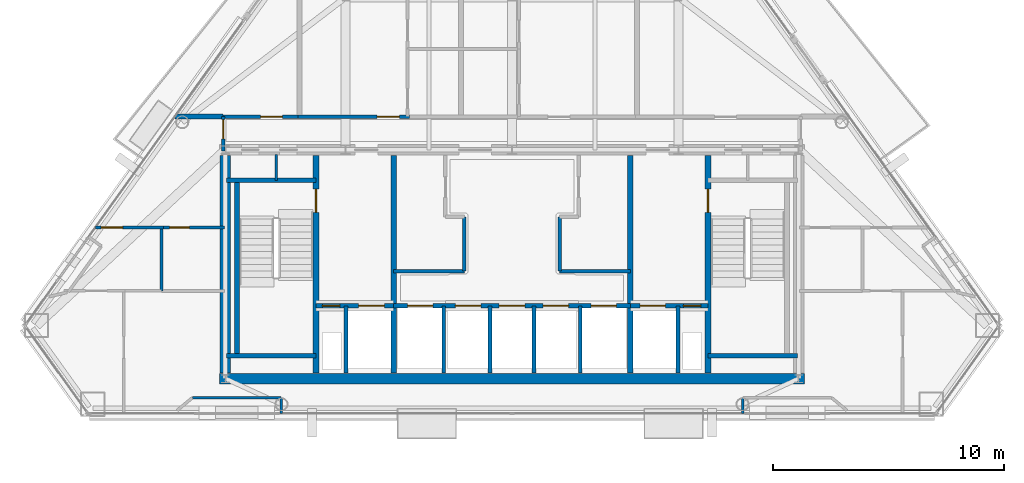
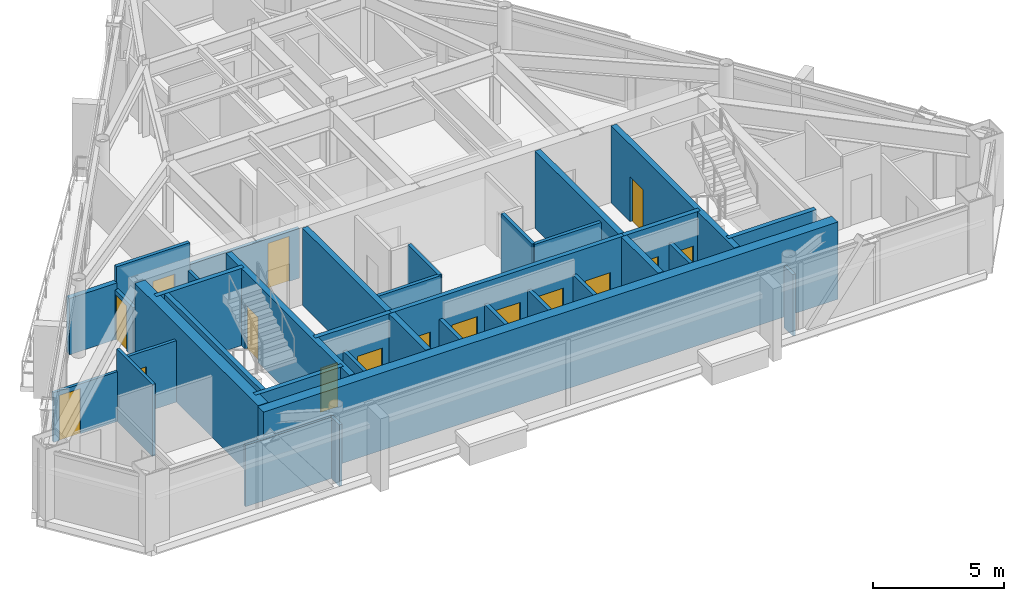
# One storey, part 7 of 11: 34 walls, 16 doors, 16 openings.
"""IFC4 building model written with IfcOpenShell, lengths in metres."""

from ifc_helpers import new_model, si_unit, direction, frame, frame_2d, origin, place, context, subcontext, project, spatial, rectangle, extrude, material, layer, layer_set, type_object, element, fill, save


model = new_model("IFC4")

# Units and contexts
model_context = context("Model", 3, precision=1e-05, world=origin(), true_north=direction((0.0, 1.0)))
body_context = subcontext(model_context, "Body", "Model", "MODEL_VIEW")
ifc_project = project(units=[si_unit("LENGTHUNIT", "METRE"), si_unit("AREAUNIT", "SQUARE_METRE"), si_unit("VOLUMEUNIT", "CUBIC_METRE"), si_unit("PLANEANGLEUNIT", "RADIAN"), si_unit("MASSUNIT", "GRAM", prefix="KILO")], contexts=[model_context])

# Site, building, storey
site_placement = place(None, origin())
site = spatial("IfcSite", under=ifc_project, at=site_placement, CompositionType="ELEMENT")
building_placement = place(site_placement, origin())
building = spatial("IfcBuilding", under=site, at=building_placement, Name="Talgorran Terracotta Tower", CompositionType="ELEMENT")
storey_placement = place(building_placement, frame((0.0, 0.0, 237.0)))
storey = spatial("IfcBuildingStorey", under=building, at=storey_placement, Name="L62", CompositionType="ELEMENT", Elevation=237.0)

# Walls
ifc_material_1 = material(Name="Concrete C50/60", Category="concrete")
ifc_layer_1 = layer(ifc_material_1, 0.199951171875, Name="WT_CORE_200")
ifc_layer_set_1 = layer_set([ifc_layer_1], Name="Concrete C50/60")
wall_type_1 = type_object("IfcWallType", Name="WT_CORE_200", PredefinedType="SOLIDWALL", material=ifc_layer_set_1)
for number, where, z_axis, x_axis, name in (
    (1, (-12.35009765625, -5.52001953125, 0.0), (0.0, 0.0, 1.0), (1.0, 0.0, 0.0), "WL-L62-CW-ST1-N"),
    (2, (-12.35009765625, -13.10009765625, 0.0), (0.0, 0.0, 1.0), (1.0, 0.0, 0.0), "WL-L62-CW-ST1-S"),
):
    element("IfcWall", number, at=place(storey_placement, frame(where, z_axis=z_axis, x_axis=x_axis)), inside=storey, type_object=wall_type_1, Name=name, PredefinedType="SOLIDWALL", context=body_context, shape_type="SweptSolid", body=[
        extrude(rectangle(XDim=3.8701171875, YDim=0.199951171875, at=frame_2d((1.93505859375, 0.0))), origin(), (0.0, 0.0, 1.0), 3.60009765625),
    ])
wall_1_placement = place(storey_placement, frame((-11.89990234375, -13.10009765625, 0.0), z_axis=(0.0, 0.0, 1.0), x_axis=(0.0, 1.0, 0.0)))
element("IfcWall", 3, at=wall_1_placement, inside=storey, type_object=wall_type_1, Name="WL-L62-CW-ST1-W", PredefinedType="SOLIDWALL", context=body_context, shape_type="SweptSolid", body=[
    extrude(rectangle(XDim=7.580078125, YDim=0.199951171875, at=frame_2d((3.7900390625, 0.0))), origin(), (0.0, 0.0, 1.0), 3.60009765625),
])
wall_2_placement = place(storey_placement, frame((8.47998046875, -13.10009765625, 0.0), z_axis=(0.0, 0.0, 1.0), x_axis=(1.0, 0.0, 0.0)))
element("IfcWall", 4, at=wall_2_placement, inside=storey, type_object=wall_type_1, Name="WL-L62-CW-ST2-S", PredefinedType="SOLIDWALL", context=body_context, shape_type="SweptSolid", body=[
    extrude(rectangle(XDim=3.8701171875, YDim=0.199951171875, at=frame_2d((1.93505859375, 0.0))), origin(), (0.0, 0.0, 1.0), 3.60009765625),
])

# Wall, openings, doors
wall_3_placement = place(storey_placement, frame((-8.47998046875, -10.949951171875, 0.0), z_axis=(0.0, 0.0, 1.0), x_axis=(1.0, 0.0, 0.0)))
wall_3 = element("IfcWall", 5, at=wall_3_placement, inside=storey, type_object=wall_type_1, Name="WL-L62-CW-H-SBW", PredefinedType="SOLIDWALL", context=body_context, shape_type="SweptSolid", body=[
    extrude(rectangle(XDim=3.35986328125, YDim=0.199951171875, at=frame_2d((1.679931640625, 0.0))), origin(), (0.0, 0.0, 1.0), 3.60009765625),
])
opening_1_placement = place(wall_3_placement, frame((0.280029296875, 0.0, 0.0)))
opening_1 = element("IfcOpeningElement", 6, at=opening_1_placement, cuts=wall_3, Name="Opening DR-RSW", PredefinedType="OPENING", context=body_context, shape_type="SweptSolid", body=[
    extrude(rectangle(XDim=0.756, YDim=2.054048828125, at=frame_2d((0.375, 1.027099609375))), frame((0.0, 0.10986328125, 0.0), z_axis=(0.0, -1.0, 0.0), x_axis=(1.0, 0.0, 0.0)), (0.0, 0.0, 1.0), 0.219970703125),
])
opening_2_placement = place(wall_3_placement, frame((1.85009765625, 0.0, 0.0)))
opening_2 = element("IfcOpeningElement", 7, at=opening_2_placement, cuts=wall_3, Name="Opening LD-FFL1", PredefinedType="OPENING", context=body_context, shape_type="SweptSolid", body=[
    extrude(rectangle(XDim=1.10609765625, YDim=2.10409765625, at=frame_2d((0.550048828125, 1.052001953125))), frame((0.0, 0.10986328125, 0.0), z_axis=(0.0, -1.0, 0.0), x_axis=(1.0, 0.0, 0.0)), (0.0, 0.0, 1.0), 0.219970703125),
])
ifc_material_2 = material(Name="Brushed Stainless Steel Grade 304", Category="steel")
door_type_1 = type_object("IfcDoorType", Name="DT_LIFT_LD1100", OperationType="DOUBLE_DOOR_SLIDING", PredefinedType="DOOR", material=ifc_material_2)
door_1_placement = place(opening_2_placement, origin())
door_1 = element("IfcDoor", 8, at=door_1_placement, inside=storey, type_object=door_type_1, Name="L62 Lift Landing Door LD-FFL1", OperationType="DOUBLE_DOOR_SLIDING", OverallHeight=2.10009765625, OverallWidth=1.10009765625, PredefinedType="DOOR", context=body_context, shape_type="SweptSolid", body=[
    extrude(rectangle(XDim=1.10009765625, YDim=2.10009765625, at=frame_2d((0.550048828125, 1.050048828125))), frame((0.0, 0.02490234375, 0.0), z_axis=(0.0, -1.0, 0.0), x_axis=(1.0, 0.0, 0.0)), (0.0, 0.0, 1.0), 0.050048828125),
])
fill(opening_2, door_1)
ifc_material_3 = material(Name="Fire-Rated Pressed Steel", Category="steel")
door_type_2 = type_object("IfcDoorType", Name="DT_RISER_750", OperationType="NOTDEFINED", PredefinedType="DOOR", material=ifc_material_3)
door_2_placement = place(opening_1_placement, origin())
door_2 = element("IfcDoor", 9, at=door_2_placement, inside=storey, type_object=door_type_2, Name="DR-RSW", OperationType="SINGLE_SWING_LEFT", OverallHeight=2.050048828125, OverallWidth=0.75, PredefinedType="DOOR", context=body_context, shape_type="SweptSolid", body=[
    extrude(rectangle(XDim=0.75, YDim=2.050048828125, at=frame_2d((0.375, 1.02490234375))), frame((0.0, 0.02490234375, 0.0), z_axis=(0.0, -1.0, 0.0), x_axis=(1.0, 0.0, 0.0)), (0.0, 0.0, 1.0), 0.050048828125),
])
fill(opening_1, door_2)

wall_4_placement = place(storey_placement, frame((-5.1201171875, -10.949951171875, 0.0), z_axis=(0.0, 0.0, 1.0), x_axis=(1.0, 0.0, 0.0)))
wall_4 = element("IfcWall", 10, at=wall_4_placement, inside=storey, type_object=wall_type_1, Name="WL-L62-CW-H-SBC", PredefinedType="SOLIDWALL", context=body_context, shape_type="SweptSolid", body=[
    extrude(rectangle(XDim=10.240234375, YDim=0.199951171875, at=frame_2d((5.1201171875, 0.0))), origin(), (0.0, 0.0, 1.0), 3.60009765625),
])
opening_3_placement = place(wall_4_placement, frame((0.60009765625, 0.0, 0.0)))
opening_3 = element("IfcOpeningElement", 11, at=opening_3_placement, cuts=wall_4, Name="Opening LD-OB1", PredefinedType="OPENING", context=body_context, shape_type="SweptSolid", body=[
    extrude(rectangle(XDim=1.10609765625, YDim=2.10409765625, at=frame_2d((0.550048828125, 1.052001953125))), frame((0.0, 0.10986328125, 0.0), z_axis=(0.0, -1.0, 0.0), x_axis=(1.0, 0.0, 0.0)), (0.0, 0.0, 1.0), 0.219970703125),
])
opening_4_placement = place(wall_4_placement, frame((2.669921875, 0.0, 0.0)))
opening_4 = element("IfcOpeningElement", 12, at=opening_4_placement, cuts=wall_4, Name="Opening LD-PLH1", PredefinedType="OPENING", context=body_context, shape_type="SweptSolid", body=[
    extrude(rectangle(XDim=1.10609765625, YDim=2.10409765625, at=frame_2d((0.550048828125, 1.052001953125))), frame((0.0, 0.10986328125, 0.0), z_axis=(0.0, -1.0, 0.0), x_axis=(1.0, 0.0, 0.0)), (0.0, 0.0, 1.0), 0.219970703125),
])
opening_5_placement = place(wall_4_placement, frame((4.570068359375, 0.0, 0.0)))
opening_5 = element("IfcOpeningElement", 13, at=opening_5_placement, cuts=wall_4, Name="Opening LD-PLH2", PredefinedType="OPENING", context=body_context, shape_type="SweptSolid", body=[
    extrude(rectangle(XDim=1.10609765625, YDim=2.10409765625, at=frame_2d((0.550048828125, 1.052001953125))), frame((0.0, 0.10986328125, 0.0), z_axis=(0.0, -1.0, 0.0), x_axis=(1.0, 0.0, 0.0)), (0.0, 0.0, 1.0), 0.219970703125),
])
opening_6_placement = place(wall_4_placement, frame((6.469970703125, 0.0, 0.0)))
opening_6 = element("IfcOpeningElement", 14, at=opening_6_placement, cuts=wall_4, Name="Opening LD-PLH3", PredefinedType="OPENING", context=body_context, shape_type="SweptSolid", body=[
    extrude(rectangle(XDim=1.10609765625, YDim=2.10409765625, at=frame_2d((0.550048828125, 1.052001953125))), frame((0.0, 0.10986328125, 0.0), z_axis=(0.0, -1.0, 0.0), x_axis=(1.0, 0.0, 0.0)), (0.0, 0.0, 1.0), 0.219970703125),
])
opening_7_placement = place(wall_4_placement, frame((8.5400390625, 0.0, 0.0)))
opening_7 = element("IfcOpeningElement", 15, at=opening_7_placement, cuts=wall_4, Name="Opening LD-SVL1", PredefinedType="OPENING", context=body_context, shape_type="SweptSolid", body=[
    extrude(rectangle(XDim=1.10609765625, YDim=2.10409765625, at=frame_2d((0.550048828125, 1.052001953125))), frame((0.0, 0.10986328125, 0.0), z_axis=(0.0, -1.0, 0.0), x_axis=(1.0, 0.0, 0.0)), (0.0, 0.0, 1.0), 0.219970703125),
])
door_3_placement = place(opening_3_placement, origin())
door_3 = element("IfcDoor", 16, at=door_3_placement, inside=storey, type_object=door_type_1, Name="L62 Lift Landing Door LD-OB1", OperationType="DOUBLE_DOOR_SLIDING", OverallHeight=2.10009765625, OverallWidth=1.10009765625, PredefinedType="DOOR", context=body_context, shape_type="SweptSolid", body=[
    extrude(rectangle(XDim=1.10009765625, YDim=2.10009765625, at=frame_2d((0.550048828125, 1.050048828125))), frame((0.0, 0.02490234375, 0.0), z_axis=(0.0, -1.0, 0.0), x_axis=(1.0, 0.0, 0.0)), (0.0, 0.0, 1.0), 0.050048828125),
])
fill(opening_3, door_3)
door_4_placement = place(opening_4_placement, origin())
door_4 = element("IfcDoor", 17, at=door_4_placement, inside=storey, type_object=door_type_1, Name="L62 Lift Landing Door LD-PLH1", OperationType="DOUBLE_DOOR_SLIDING", OverallHeight=2.10009765625, OverallWidth=1.10009765625, PredefinedType="DOOR", context=body_context, shape_type="SweptSolid", body=[
    extrude(rectangle(XDim=1.10009765625, YDim=2.10009765625, at=frame_2d((0.550048828125, 1.050048828125))), frame((0.0, 0.02490234375, 0.0), z_axis=(0.0, -1.0, 0.0), x_axis=(1.0, 0.0, 0.0)), (0.0, 0.0, 1.0), 0.050048828125),
])
fill(opening_4, door_4)
door_5_placement = place(opening_5_placement, origin())
door_5 = element("IfcDoor", 18, at=door_5_placement, inside=storey, type_object=door_type_1, Name="L62 Lift Landing Door LD-PLH2", OperationType="DOUBLE_DOOR_SLIDING", OverallHeight=2.10009765625, OverallWidth=1.10009765625, PredefinedType="DOOR", context=body_context, shape_type="SweptSolid", body=[
    extrude(rectangle(XDim=1.10009765625, YDim=2.10009765625, at=frame_2d((0.550048828125, 1.050048828125))), frame((0.0, 0.02490234375, 0.0), z_axis=(0.0, -1.0, 0.0), x_axis=(1.0, 0.0, 0.0)), (0.0, 0.0, 1.0), 0.050048828125),
])
fill(opening_5, door_5)
door_6_placement = place(opening_6_placement, origin())
door_6 = element("IfcDoor", 19, at=door_6_placement, inside=storey, type_object=door_type_1, Name="L62 Lift Landing Door LD-PLH3", OperationType="DOUBLE_DOOR_SLIDING", OverallHeight=2.10009765625, OverallWidth=1.10009765625, PredefinedType="DOOR", context=body_context, shape_type="SweptSolid", body=[
    extrude(rectangle(XDim=1.10009765625, YDim=2.10009765625, at=frame_2d((0.550048828125, 1.050048828125))), frame((0.0, 0.02490234375, 0.0), z_axis=(0.0, -1.0, 0.0), x_axis=(1.0, 0.0, 0.0)), (0.0, 0.0, 1.0), 0.050048828125),
])
fill(opening_6, door_6)
door_7_placement = place(opening_7_placement, origin())
door_7 = element("IfcDoor", 20, at=door_7_placement, inside=storey, type_object=door_type_1, Name="L62 Lift Landing Door LD-SVL1", OperationType="DOUBLE_DOOR_SLIDING", OverallHeight=2.10009765625, OverallWidth=1.10009765625, PredefinedType="DOOR", context=body_context, shape_type="SweptSolid", body=[
    extrude(rectangle(XDim=1.10009765625, YDim=2.10009765625, at=frame_2d((0.550048828125, 1.050048828125))), frame((0.0, 0.02490234375, 0.0), z_axis=(0.0, -1.0, 0.0), x_axis=(1.0, 0.0, 0.0)), (0.0, 0.0, 1.0), 0.050048828125),
])
fill(opening_7, door_7)

wall_5_placement = place(storey_placement, frame((5.1201171875, -10.949951171875, 0.0), z_axis=(0.0, 0.0, 1.0), x_axis=(1.0, 0.0, 0.0)))
wall_5 = element("IfcWall", 21, at=wall_5_placement, inside=storey, type_object=wall_type_1, Name="WL-L62-CW-H-SBE", PredefinedType="SOLIDWALL", context=body_context, shape_type="SweptSolid", body=[
    extrude(rectangle(XDim=3.35986328125, YDim=0.199951171875, at=frame_2d((1.679931640625, 0.0))), origin(), (0.0, 0.0, 1.0), 3.60009765625),
])
opening_8_placement = place(wall_5_placement, frame((0.419921875, 0.0, 0.0)))
opening_8 = element("IfcOpeningElement", 22, at=opening_8_placement, cuts=wall_5, Name="Opening LD-FFL2", PredefinedType="OPENING", context=body_context, shape_type="SweptSolid", body=[
    extrude(rectangle(XDim=1.10609765625, YDim=2.10409765625, at=frame_2d((0.550048828125, 1.052001953125))), frame((0.0, 0.10986328125, 0.0), z_axis=(0.0, -1.0, 0.0), x_axis=(1.0, 0.0, 0.0)), (0.0, 0.0, 1.0), 0.219970703125),
])
opening_9_placement = place(wall_5_placement, frame((2.300048828125, 0.0, 0.0)))
opening_9 = element("IfcOpeningElement", 23, at=opening_9_placement, cuts=wall_5, Name="Opening DR-RSE", PredefinedType="OPENING", context=body_context, shape_type="SweptSolid", body=[
    extrude(rectangle(XDim=0.756, YDim=2.054048828125, at=frame_2d((0.375, 1.027099609375))), frame((0.0, 0.10986328125, 0.0), z_axis=(0.0, -1.0, 0.0), x_axis=(1.0, 0.0, 0.0)), (0.0, 0.0, 1.0), 0.219970703125),
])
door_8_placement = place(opening_8_placement, origin())
door_8 = element("IfcDoor", 24, at=door_8_placement, inside=storey, type_object=door_type_1, Name="L62 Lift Landing Door LD-FFL2", OperationType="DOUBLE_DOOR_SLIDING", OverallHeight=2.10009765625, OverallWidth=1.10009765625, PredefinedType="DOOR", context=body_context, shape_type="SweptSolid", body=[
    extrude(rectangle(XDim=1.10009765625, YDim=2.10009765625, at=frame_2d((0.550048828125, 1.050048828125))), frame((0.0, 0.02490234375, 0.0), z_axis=(0.0, -1.0, 0.0), x_axis=(1.0, 0.0, 0.0)), (0.0, 0.0, 1.0), 0.050048828125),
])
fill(opening_8, door_8)
door_9_placement = place(opening_9_placement, origin())
door_9 = element("IfcDoor", 25, at=door_9_placement, inside=storey, type_object=door_type_2, Name="DR-RSE", OperationType="SINGLE_SWING_RIGHT", OverallHeight=2.050048828125, OverallWidth=0.75, PredefinedType="DOOR", context=body_context, shape_type="SweptSolid", body=[
    extrude(rectangle(XDim=0.75, YDim=2.050048828125, at=frame_2d((0.375, 1.02490234375))), frame((0.0, 0.02490234375, 0.0), z_axis=(0.0, -1.0, 0.0), x_axis=(1.0, 0.0, 0.0)), (0.0, 0.0, 1.0), 0.050048828125),
])
fill(opening_9, door_9)

# Wall, opening, door
ifc_layer_2 = layer(ifc_material_1, 0.25, Name="WT_CORE_250")
ifc_layer_set_2 = layer_set([ifc_layer_2], Name="Concrete C50/60")
wall_type_2 = type_object("IfcWallType", Name="WT_CORE_250", PredefinedType="SHEAR", material=ifc_layer_set_2)
wall_6_placement = place(storey_placement, frame((-8.47998046875, -13.85009765625, 0.0), z_axis=(0.0, 0.0, 1.0), x_axis=(0.0, 1.0, 0.0)))
wall_6 = element("IfcWall", 26, at=wall_6_placement, inside=storey, type_object=wall_type_2, Name="WL-L62-CW-V-W1", PredefinedType="SHEAR", context=body_context, shape_type="SweptSolid", body=[
    extrude(rectangle(XDim=9.400146484375, YDim=0.25, at=frame_2d((4.7001953125, 0.0))), origin(), (0.0, 0.0, 1.0), 3.60009765625),
])
opening_10_placement = place(wall_6_placement, frame((6.949951171875, 0.0, 0.0)))
opening_10 = element("IfcOpeningElement", 27, at=opening_10_placement, cuts=wall_6, Name="Opening DR-ST01", PredefinedType="OPENING", context=body_context, shape_type="SweptSolid", body=[
    extrude(rectangle(XDim=1.006, YDim=2.10409765625, at=frame_2d((0.5, 1.052001953125))), frame((0.0, 0.135009765625, 0.0), z_axis=(0.0, -1.0, 0.0), x_axis=(1.0, 0.0, 0.0)), (0.0, 0.0, 1.0), 0.27001953125),
])
door_type_3 = type_object("IfcDoorType", Name="DT_FIRE_1000", OperationType="NOTDEFINED", PredefinedType="DOOR", material=ifc_material_3)
door_10_placement = place(opening_10_placement, origin())
door_10 = element("IfcDoor", 28, at=door_10_placement, inside=storey, type_object=door_type_3, Name="DR-ST01", OperationType="SINGLE_SWING_LEFT", OverallHeight=2.10009765625, OverallWidth=1.0, PredefinedType="DOOR", context=body_context, shape_type="SweptSolid", body=[
    extrude(rectangle(XDim=1.0, YDim=2.10009765625, at=frame_2d((0.5, 1.050048828125))), frame((0.0, 0.02490234375, 0.0), z_axis=(0.0, -1.0, 0.0), x_axis=(1.0, 0.0, 0.0)), (0.0, 0.0, 1.0), 0.050048828125),
])
fill(opening_10, door_10)

wall_7_placement = place(storey_placement, frame((8.47998046875, -13.85009765625, 0.0), z_axis=(0.0, 0.0, 1.0), x_axis=(0.0, 1.0, 0.0)))
wall_7 = element("IfcWall", 29, at=wall_7_placement, inside=storey, type_object=wall_type_2, Name="WL-L62-CW-V-E1", PredefinedType="SHEAR", context=body_context, shape_type="SweptSolid", body=[
    extrude(rectangle(XDim=9.400146484375, YDim=0.25, at=frame_2d((4.7001953125, 0.0))), origin(), (0.0, 0.0, 1.0), 3.60009765625),
])
opening_11_placement = place(wall_7_placement, frame((6.949951171875, 0.0, 0.0)))
opening_11 = element("IfcOpeningElement", 30, at=opening_11_placement, cuts=wall_7, Name="Opening DR-ST02", PredefinedType="OPENING", context=body_context, shape_type="SweptSolid", body=[
    extrude(rectangle(XDim=1.006, YDim=2.10409765625, at=frame_2d((0.5, 1.052001953125))), frame((0.0, 0.135009765625, 0.0), z_axis=(0.0, -1.0, 0.0), x_axis=(1.0, 0.0, 0.0)), (0.0, 0.0, 1.0), 0.27001953125),
])
door_11_placement = place(opening_11_placement, origin())
door_11 = element("IfcDoor", 31, at=door_11_placement, inside=storey, type_object=door_type_3, Name="DR-ST02", OperationType="SINGLE_SWING_RIGHT", OverallHeight=2.10009765625, OverallWidth=1.0, PredefinedType="DOOR", context=body_context, shape_type="SweptSolid", body=[
    extrude(rectangle(XDim=1.0, YDim=2.10009765625, at=frame_2d((0.5, 1.050048828125))), frame((0.0, 0.02490234375, 0.0), z_axis=(0.0, -1.0, 0.0), x_axis=(1.0, 0.0, 0.0)), (0.0, 0.0, 1.0), 0.050048828125),
])
fill(opening_11, door_11)

# Walls
for number, where, z_axis, x_axis, name in (
    (32, (-5.1201171875, -13.85009765625, 0.0), (0.0, 0.0, 1.0), (0.0, 1.0, 0.0), "WL-L62-CW-V-W2"),
    (33, (5.1201171875, -13.85009765625, 0.0), (0.0, 0.0, 1.0), (0.0, 1.0, 0.0), "WL-L62-CW-V-E2"),
):
    element("IfcWall", number, at=place(storey_placement, frame(where, z_axis=z_axis, x_axis=x_axis)), inside=storey, type_object=wall_type_2, Name=name, PredefinedType="SHEAR", context=body_context, shape_type="SweptSolid", body=[
        extrude(rectangle(XDim=9.400146484375, YDim=0.25, at=frame_2d((4.7001953125, 0.0))), origin(), (0.0, 0.0, 1.0), 3.60009765625),
    ])
ifc_material_4 = material(Name="Concrete C65/80", Category="concrete")
ifc_layer_3 = layer(ifc_material_4, 0.449951171875, Name="WT_CORE_EXT")
ifc_layer_set_3 = layer_set([ifc_layer_3], Name="Concrete C65/80")
wall_type_3 = type_object("IfcWallType", Name="WT_CORE_EXT", PredefinedType="SHEAR", material=ifc_layer_set_3)
wall_8_placement = place(storey_placement, frame((-12.64990234375, -14.10009765625, 0.0), z_axis=(0.0, 0.0, 1.0), x_axis=(1.0, 0.0, 0.0)))
element("IfcWall", 34, at=wall_8_placement, inside=storey, type_object=wall_type_3, Name="WL-L62-CW-OUT-S", PredefinedType="SHEAR", context=body_context, shape_type="SweptSolid", body=[
    extrude(rectangle(XDim=25.2998046875, YDim=0.449951171875, at=frame_2d((12.64990234375, 0.0))), origin(), (0.0, 0.0, 1.0), 3.60009765625),
])
wall_9_placement = place(storey_placement, frame((-12.39990234375, -13.85009765625, 0.0), z_axis=(0.0, 0.0, 1.0), x_axis=(0.0, 1.0, 0.0)))
element("IfcWall", 35, at=wall_9_placement, inside=storey, type_object=wall_type_3, Name="WL-L62-CW-OUT-W", PredefinedType="SHEAR", context=body_context, shape_type="SweptSolid", body=[
    extrude(rectangle(XDim=9.400146484375, YDim=0.449951171875, at=frame_2d((4.7001953125, 0.0))), origin(), (0.0, 0.0, 1.0), 3.60009765625),
])
ifc_material_5 = material(Name="Fire-Rated Steel Stud Plasterboard", Category="steel")
ifc_layer_4 = layer(ifc_material_5, 0.14990234375, Name="WT_FIRE_150")
ifc_layer_set_4 = layer_set([ifc_layer_4], Name="Fire-Rated Steel Stud Plasterboard")
wall_type_4 = type_object("IfcWallType", Name="WT_FIRE_150", PredefinedType="PARTITIONING", material=ifc_layer_set_4)
wall_10_placement = place(storey_placement, frame((-5.1201171875, -9.449951171875, 0.0), z_axis=(0.0, 0.0, 1.0), x_axis=(1.0, 0.0, 0.0)))
element("IfcWall", 36, at=wall_10_placement, inside=storey, type_object=wall_type_4, Name="WL-L62-CW-H-W4N", PredefinedType="PARTITIONING", context=body_context, shape_type="SweptSolid", body=[
    extrude(rectangle(XDim=3.06005859375, YDim=0.14990234375, at=frame_2d((1.530029296875, 0.0))), origin(), (0.0, 0.0, 1.0), 3.344970703125),
])
wall_11_placement = place(storey_placement, frame((-2.06005859375, -9.449951171875, 0.0), z_axis=(0.0, 0.0, 1.0), x_axis=(0.0, 1.0, 0.0)))
element("IfcWall", 37, at=wall_11_placement, inside=storey, type_object=wall_type_4, Name="WL-L62-CW-V-W3S2", PredefinedType="PARTITIONING", context=body_context, shape_type="SweptSolid", body=[
    extrude(rectangle(XDim=2.349853515625, YDim=0.14990234375, at=frame_2d((1.1748046875, 0.0))), origin(), (0.0, 0.0, 1.0), 3.344970703125),
])
wall_12_placement = place(storey_placement, frame((2.06005859375, -9.449951171875, 0.0), z_axis=(0.0, 0.0, 1.0), x_axis=(1.0, 0.0, 0.0)))
element("IfcWall", 38, at=wall_12_placement, inside=storey, type_object=wall_type_4, Name="WL-L62-CW-H-E4N", PredefinedType="PARTITIONING", context=body_context, shape_type="SweptSolid", body=[
    extrude(rectangle(XDim=3.06005859375, YDim=0.14990234375, at=frame_2d((1.530029296875, 0.0))), origin(), (0.0, 0.0, 1.0), 3.344970703125),
])
wall_13_placement = place(storey_placement, frame((2.06005859375, -9.449951171875, 0.0), z_axis=(0.0, 0.0, 1.0), x_axis=(0.0, 1.0, 0.0)))
element("IfcWall", 39, at=wall_13_placement, inside=storey, type_object=wall_type_4, Name="WL-L62-CW-V-E3S2", PredefinedType="PARTITIONING", context=body_context, shape_type="SweptSolid", body=[
    extrude(rectangle(XDim=2.349853515625, YDim=0.14990234375, at=frame_2d((1.1748046875, 0.0))), origin(), (0.0, 0.0, 1.0), 3.344970703125),
])

# Wall, opening, door
wall_14_placement = place(storey_placement, frame((-9.260009765625, -2.760009765625, 0.0), z_axis=(0.0, 0.0, 1.0), x_axis=(1.0, 0.0, 0.0)))
wall_14 = element("IfcWall", 40, at=wall_14_placement, inside=storey, type_object=wall_type_4, Name="WL-L62-W-L62-R05", PredefinedType="PARTITIONING", context=body_context, shape_type="SweptSolid", body=[
    extrude(rectangle(XDim=4.820068359375, YDim=0.14990234375, at=frame_2d((2.41015625, 0.0))), origin(), (0.0, 0.0, 1.0), 2.320068359375),
])
opening_12_placement = place(wall_14_placement, frame((3.430908203125, 0.0, 0.0)))
opening_12 = element("IfcOpeningElement", 41, at=opening_12_placement, cuts=wall_14, Name="Opening DR-L62-R15", PredefinedType="OPENING", context=body_context, shape_type="SweptSolid", body=[
    extrude(rectangle(XDim=0.955951171875, YDim=2.10409765625, at=frame_2d((0.47509765625, 1.052001953125))), frame((0.0, 0.0849609375, 0.0), z_axis=(0.0, -1.0, 0.0), x_axis=(1.0, 0.0, 0.0)), (0.0, 0.0, 1.0), 0.169921875),
])
ifc_material_6 = material(Name="Fire-Rated Timber Core", Category="wood")
door_type_4 = type_object("IfcDoorType", Name="DT_FIRE_950", OperationType="NOTDEFINED", PredefinedType="DOOR", material=ifc_material_6)
door_12_placement = place(opening_12_placement, origin())
door_12 = element("IfcDoor", 42, at=door_12_placement, inside=storey, type_object=door_type_4, Name="DR-L62-R15", OperationType="SINGLE_SWING_LEFT", OverallHeight=2.10009765625, OverallWidth=0.949951171875, PredefinedType="DOOR", context=body_context, shape_type="SweptSolid", body=[
    extrude(rectangle(XDim=0.949951171875, YDim=2.10009765625, at=frame_2d((0.47509765625, 1.050048828125))), frame((0.0, 0.02490234375, 0.0), z_axis=(0.0, -1.0, 0.0), x_axis=(1.0, 0.0, 0.0)), (0.0, 0.0, 1.0), 0.050048828125),
])
fill(opening_12, door_12)

wall_15_placement = place(storey_placement, frame((-12.5, -2.760009765625, 0.0), z_axis=(0.0, 0.0, 1.0), x_axis=(1.0, 0.0, 0.0)))
wall_15 = element("IfcWall", 43, at=wall_15_placement, inside=storey, type_object=wall_type_4, Name="WL-L62-W-L62-R03", PredefinedType="PARTITIONING", context=body_context, shape_type="SweptSolid", body=[
    extrude(rectangle(XDim=3.238037109375, YDim=0.14990234375, at=frame_2d((1.619140625, 0.0))), origin(), (0.0, 0.0, 1.0), 3.344970703125),
])
opening_13_placement = place(wall_15_placement, frame((1.619384765625, 0.0, 0.0)))
opening_13 = element("IfcOpeningElement", 44, at=opening_13_placement, cuts=wall_15, Name="Opening DR-L62-R11", PredefinedType="OPENING", context=body_context, shape_type="SweptSolid", body=[
    extrude(rectangle(XDim=0.955951171875, YDim=2.10409765625, at=frame_2d((0.47509765625, 1.052001953125))), frame((0.0, 0.0849609375, 0.0), z_axis=(0.0, -1.0, 0.0), x_axis=(1.0, 0.0, 0.0)), (0.0, 0.0, 1.0), 0.169921875),
])
door_13_placement = place(opening_13_placement, origin())
door_13 = element("IfcDoor", 45, at=door_13_placement, inside=storey, type_object=door_type_4, Name="DR-L62-R11", OperationType="SINGLE_SWING_LEFT", OverallHeight=2.10009765625, OverallWidth=0.949951171875, PredefinedType="DOOR", context=body_context, shape_type="SweptSolid", body=[
    extrude(rectangle(XDim=0.949951171875, YDim=2.10009765625, at=frame_2d((0.47509765625, 1.050048828125))), frame((0.0, 0.02490234375, 0.0), z_axis=(0.0, -1.0, 0.0), x_axis=(1.0, 0.0, 0.0)), (0.0, 0.0, 1.0), 0.050048828125),
])
fill(opening_13, door_13)

wall_16_placement = place(storey_placement, frame((-12.5, -4.239990234375, 0.0), z_axis=(0.0, 0.0, 1.0), x_axis=(0.0, 1.0, 0.0)))
wall_16 = element("IfcWall", 46, at=wall_16_placement, inside=storey, type_object=wall_type_4, Name="WL-L62-W-L62-R01", PredefinedType="PARTITIONING", context=body_context, shape_type="SweptSolid", body=[
    extrude(rectangle(XDim=1.47998046875, YDim=0.14990234375, at=frame_2d((0.739990234375, 0.0))), origin(), (0.0, 0.0, 1.0), 2.320068359375),
])
opening_14_placement = place(wall_16_placement, frame((0.521728515625, 0.0, 0.0)))
opening_14 = element("IfcOpeningElement", 47, at=opening_14_placement, cuts=wall_16, Name="Opening DR-L62-R01", PredefinedType="OPENING", context=body_context, shape_type="SweptSolid", body=[
    extrude(rectangle(XDim=0.826068359375, YDim=2.10409765625, at=frame_2d((0.41015625, 1.052001953125))), frame((0.0, 0.0849609375, 0.0), z_axis=(0.0, -1.0, 0.0), x_axis=(1.0, 0.0, 0.0)), (0.0, 0.0, 1.0), 0.169921875),
])
ifc_material_7 = material(Name="Moisture-Resistant Solid Timber", Category="wood")
door_type_5 = type_object("IfcDoorType", Name="DT_INT_820", OperationType="NOTDEFINED", PredefinedType="DOOR", material=ifc_material_7)
door_14_placement = place(opening_14_placement, origin())
door_14 = element("IfcDoor", 48, at=door_14_placement, inside=storey, type_object=door_type_5, Name="DR-L62-R01", OperationType="SINGLE_SWING_LEFT", OverallHeight=2.10009765625, OverallWidth=0.820068359375, PredefinedType="DOOR", context=body_context, shape_type="SweptSolid", body=[
    extrude(rectangle(XDim=0.820068359375, YDim=2.10009765625, at=frame_2d((0.41015625, 1.050048828125))), frame((0.0, 0.02490234375, 0.0), z_axis=(0.0, -1.0, 0.0), x_axis=(1.0, 0.0, 0.0)), (0.0, 0.0, 1.0), 0.050048828125),
])
fill(opening_14, door_14)

# Walls
ifc_material_8 = material(Name="Acoustic Masonry and Plasterboard", Category="masonry")
ifc_layer_5 = layer(ifc_material_8, 0.219970703125, Name="WT_PARTY_220")
ifc_layer_set_5 = layer_set([ifc_layer_5], Name="Acoustic Masonry and Plasterboard")
wall_type_5 = type_object("IfcWallType", Name="WT_PARTY_220", PredefinedType="PARTITIONING", material=ifc_layer_set_5)
wall_17_placement = place(storey_placement, frame((-14.58837890625, -2.760009765625, 0.0), z_axis=(0.0, 0.0, 1.0), x_axis=(1.0, 0.0, 0.0)))
element("IfcWall", 49, at=wall_17_placement, inside=storey, type_object=wall_type_5, Name="WL-L62-W-L62-R11", PredefinedType="PARTITIONING", context=body_context, shape_type="SweptSolid", body=[
    extrude(rectangle(XDim=2.08837890625, YDim=0.219970703125, at=frame_2d((1.044189453125, 0.0))), origin(), (0.0, 0.0, 1.0), 2.6201171875),
])
ifc_material_9 = material(Name="Insulated Steel Stud Plasterboard", Category="steel")
ifc_layer_6 = layer(ifc_material_9, 0.1201171875, Name="WT_PART_120")
ifc_layer_set_6 = layer_set([ifc_layer_6], Name="Insulated Steel Stud Plasterboard")
wall_type_6 = type_object("IfcWallType", Name="WT_PART_120", PredefinedType="PARTITIONING", material=ifc_layer_set_6)
wall_18_placement = place(storey_placement, frame((-10.199951171875, -5.52001953125, 0.0), z_axis=(0.0, 0.0, 1.0), x_axis=(0.0, 1.0, 0.0)))
element("IfcWall", 50, at=wall_18_placement, inside=storey, type_object=wall_type_6, Name="WL-L62-CW-CSW-DIV", PredefinedType="PARTITIONING", context=body_context, shape_type="SweptSolid", body=[
    extrude(rectangle(XDim=1.1201171875, YDim=0.1201171875, at=frame_2d((0.56005859375, 0.0))), origin(), (0.0, 0.0, 1.0), 3.344970703125),
])
wall_19_placement = place(storey_placement, frame((-13.831787109375, -14.927734375, 0.0), z_axis=(0.0, 0.0, 1.0), x_axis=(1.0, 0.0, 0.0)))
element("IfcWall", 51, at=wall_19_placement, inside=storey, type_object=wall_type_6, Name="WL-L62-BW-L62-01", PredefinedType="PARTITIONING", context=body_context, shape_type="SweptSolid", body=[
    extrude(rectangle(XDim=3.844970703125, YDim=0.1201171875, at=frame_2d((1.92236328125, 0.0))), origin(), (0.0, 0.0, 1.0), 2.863037109375),
])

# Wall, opening, door
wall_20_placement = place(storey_placement, frame((-18.02978515625, -7.56005859375, 0.0), z_axis=(0.0, 0.0, 1.0), x_axis=(1.0, 0.0, 0.0)))
wall_20 = element("IfcWall", 52, at=wall_20_placement, inside=storey, type_object=wall_type_6, Name="WL-L62-W-L62-R10", PredefinedType="PARTITIONING", context=body_context, shape_type="SweptSolid", body=[
    extrude(rectangle(XDim=2.94970703125, YDim=0.1201171875, at=frame_2d((1.474853515625, 0.0))), origin(), (0.0, 0.0, 1.0), 2.320068359375),
])
opening_15_placement = place(wall_20_placement, frame((0.25732421875, 0.0, 0.0)))
opening_15 = element("IfcOpeningElement", 53, at=opening_15_placement, cuts=wall_20, Name="Opening DR-L62-R03", PredefinedType="OPENING", context=body_context, shape_type="SweptSolid", body=[
    extrude(rectangle(XDim=0.925921875, YDim=2.10409765625, at=frame_2d((0.4599609375, 1.052001953125))), frame((0.0, 0.070068359375, 0.0), z_axis=(0.0, -1.0, 0.0), x_axis=(1.0, 0.0, 0.0)), (0.0, 0.0, 1.0), 0.14013671875),
])
ifc_material_10 = material(Name="Solid-Core Painted Timber", Category="wood")
door_type_6 = type_object("IfcDoorType", Name="DT_INT_920", OperationType="NOTDEFINED", PredefinedType="DOOR", material=ifc_material_10)
door_15_placement = place(opening_15_placement, origin())
door_15 = element("IfcDoor", 54, at=door_15_placement, inside=storey, type_object=door_type_6, Name="DR-L62-R03", OperationType="SINGLE_SWING_LEFT", OverallHeight=2.10009765625, OverallWidth=0.919921875, PredefinedType="DOOR", context=body_context, shape_type="SweptSolid", body=[
    extrude(rectangle(XDim=0.919921875, YDim=2.10009765625, at=frame_2d((0.4599609375, 1.050048828125))), frame((0.0, 0.02490234375, 0.0), z_axis=(0.0, -1.0, 0.0), x_axis=(1.0, 0.0, 0.0)), (0.0, 0.0, 1.0), 0.050048828125),
])
fill(opening_15, door_15)

# Walls
for number, where, z_axis, x_axis, name in (
    (55, (-9.98681640625, -14.927734375, 0.0), (0.0, 0.0, 1.0), (0.0, -1.0, 0.0), "WL-L62-BW-L62-02"),
    (56, (9.98681640625, -15.597900390625, 0.0), (0.0, 0.0, 1.0), (0.0, 1.0, 0.0), "WL-L62-BW-L62-05"),
):
    element("IfcWall", number, at=place(storey_placement, frame(where, z_axis=z_axis, x_axis=x_axis)), inside=storey, type_object=wall_type_6, Name=name, PredefinedType="PARTITIONING", context=body_context, shape_type="SweptSolid", body=[
        extrude(rectangle(XDim=0.670166015625, YDim=0.1201171875, at=frame_2d((0.3349609375, 0.0))), origin(), (0.0, 0.0, 1.0), 2.863037109375),
    ])

# Wall, opening, door
ifc_material_11 = material(Name="Moisture-Resistant Stud Wall")
ifc_layer_7 = layer(ifc_material_11, 0.135009765625, Name="WT_PART_135")
ifc_layer_set_7 = layer_set([ifc_layer_7], Name="Moisture-Resistant Stud Wall")
wall_type_7 = type_object("IfcWallType", Name="WT_PART_135", PredefinedType="PARTITIONING", material=ifc_layer_set_7)
wall_21_placement = place(storey_placement, frame((-15.077880859375, -7.56005859375, 0.0), z_axis=(0.0, 0.0, 1.0), x_axis=(1.0, 0.0, 0.0)))
wall_21 = element("IfcWall", 57, at=wall_21_placement, inside=storey, type_object=wall_type_7, Name="WL-L62-W-L62-R09", PredefinedType="PARTITIONING", context=body_context, shape_type="SweptSolid", body=[
    extrude(rectangle(XDim=2.637939453125, YDim=0.135009765625, at=frame_2d((1.31884765625, 0.0))), origin(), (0.0, 0.0, 1.0), 2.863037109375),
])
opening_16_placement = place(wall_21_placement, frame((0.272216796875, 0.0, 0.0)))
opening_16 = element("IfcOpeningElement", 58, at=opening_16_placement, cuts=wall_21, Name="Opening DR-L62-R02", PredefinedType="OPENING", context=body_context, shape_type="SweptSolid", body=[
    extrude(rectangle(XDim=0.85609765625, YDim=2.10409765625, at=frame_2d((0.425048828125, 1.052001953125))), frame((0.0, 0.07763671875, 0.0), z_axis=(0.0, -1.0, 0.0), x_axis=(1.0, 0.0, 0.0)), (0.0, 0.0, 1.0), 0.155029296875),
])
door_type_7 = type_object("IfcDoorType", Name="DT_INT_850", OperationType="NOTDEFINED", PredefinedType="DOOR", material=ifc_material_7)
door_16_placement = place(opening_16_placement, origin())
door_16 = element("IfcDoor", 59, at=door_16_placement, inside=storey, type_object=door_type_7, Name="DR-L62-R02", OperationType="SINGLE_SWING_RIGHT", OverallHeight=2.10009765625, OverallWidth=0.85009765625, PredefinedType="DOOR", context=body_context, shape_type="SweptSolid", body=[
    extrude(rectangle(XDim=0.85009765625, YDim=2.10009765625, at=frame_2d((0.425048828125, 1.050048828125))), frame((0.0, 0.02490234375, 0.0), z_axis=(0.0, -1.0, 0.0), x_axis=(1.0, 0.0, 0.0)), (0.0, 0.0, 1.0), 0.050048828125),
])
fill(opening_16, door_16)

# Walls
wall_22_placement = place(storey_placement, frame((-15.159912109375, -10.300048828125, 0.0), z_axis=(0.0, 0.0, 1.0), x_axis=(0.0, 1.0, 0.0)))
element("IfcWall", 60, at=wall_22_placement, inside=storey, type_object=wall_type_7, Name="WL-L62-W-L62-R12", PredefinedType="PARTITIONING", context=body_context, shape_type="SweptSolid", body=[
    extrude(rectangle(XDim=2.739990234375, YDim=0.135009765625, at=frame_2d((1.3701171875, 0.0))), origin(), (0.0, 0.0, 1.0), 3.344970703125),
])
ifc_material_12 = material(Name="Fire-Rated Shaftwall")
ifc_layer_8 = layer(ifc_material_12, 0.159912109375, Name="WT_PART_150")
ifc_layer_set_8 = layer_set([ifc_layer_8], Name="Fire-Rated Shaftwall")
wall_type_8 = type_object("IfcWallType", Name="WT_PART_150", PredefinedType="PARTITIONING", material=ifc_layer_set_8)
for number, where, z_axis, x_axis, name in (
    (61, (-7.179931640625, -13.85009765625, 0.0), (0.0, 0.0, 1.0), (0.0, 1.0, 0.0), "WL-L62-CW-RSW"),
    (62, (7.179931640625, -13.85009765625, 0.0), (0.0, 0.0, 1.0), (0.0, 1.0, 0.0), "WL-L62-CW-RSE"),
    (63, (-2.949951171875, -13.85009765625, 0.0), (0.0, 0.0, 1.0), (0.0, 1.0, 0.0), "WL-L62-CW-OB-E"),
    (64, (2.949951171875, -13.85009765625, 0.0), (0.0, 0.0, 1.0), (0.0, 1.0, 0.0), "WL-L62-CW-SV-W"),
    (65, (-0.949951171875, -13.85009765625, 0.0), (0.0, 0.0, 1.0), (0.0, 1.0, 0.0), "WL-L62-CW-PLH-D1"),
    (66, (0.949951171875, -13.85009765625, 0.0), (0.0, 0.0, 1.0), (0.0, 1.0, 0.0), "WL-L62-CW-PLH-D2"),
):
    element("IfcWall", number, at=place(storey_placement, frame(where, z_axis=z_axis, x_axis=x_axis)), inside=storey, type_object=wall_type_8, Name=name, PredefinedType="PARTITIONING", context=body_context, shape_type="SweptSolid", body=[
        extrude(rectangle(XDim=2.900146484375, YDim=0.159912109375, at=frame_2d((1.4501953125, 0.0))), origin(), (0.0, 0.0, 1.0), 2.570068359375),
    ])

save(model, "model.ifc")
